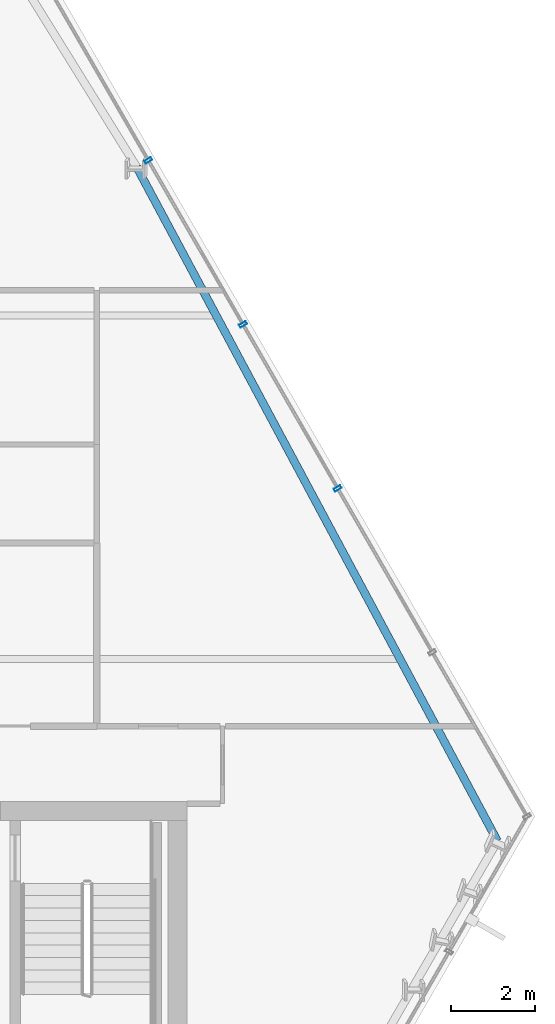
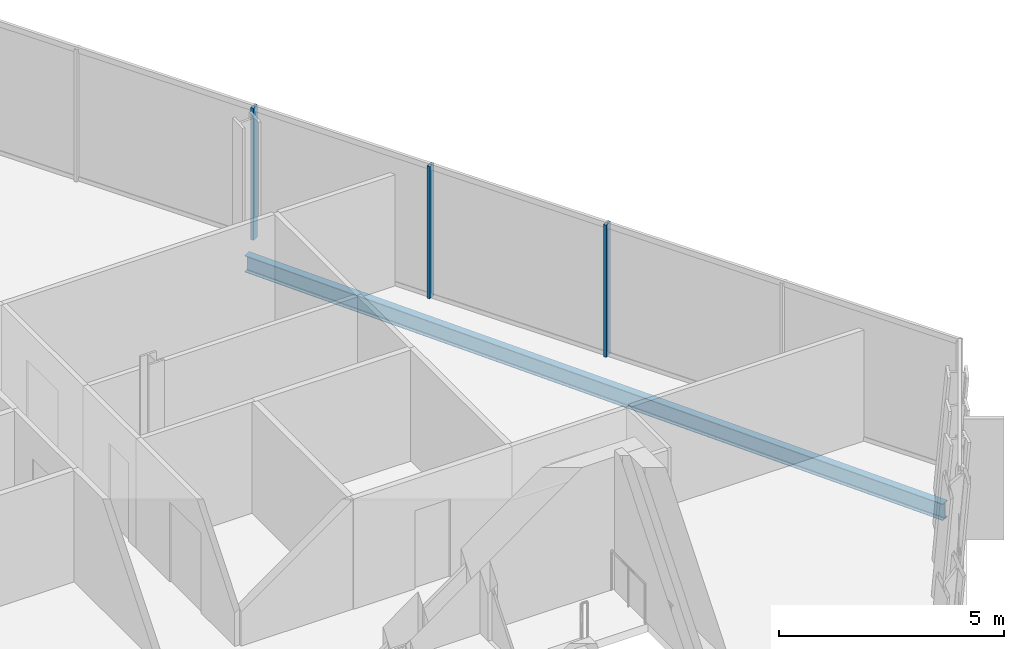
# One storey, part 18 of 32: 3 members, 1 beam, 1 element without a shape of its own.
"""IFC4 building model written with IfcOpenShell, lengths in metres."""

from ifc_helpers import new_model, si_unit, direction, frame, origin, origin_2d, place, context, subcontext, project, spatial, hollow_rectangle, i_section, extrude, material, layer, layer_set, material_profile, profile_set, type_object, element, aggregate, save


model = new_model("IFC4")

# Units and contexts
model_context = context("Model", 3, precision=1e-05, world=origin(), true_north=direction((0.0, 1.0)))
body_context = subcontext(model_context, "Body", "Model", "MODEL_VIEW")
ifc_project = project(units=[si_unit("LENGTHUNIT", "METRE"), si_unit("AREAUNIT", "SQUARE_METRE"), si_unit("VOLUMEUNIT", "CUBIC_METRE"), si_unit("PLANEANGLEUNIT", "RADIAN"), si_unit("MASSUNIT", "GRAM", prefix="KILO")], contexts=[model_context])

# Site, building, storey
site_placement = place(None, origin())
site = spatial("IfcSite", under=ifc_project, at=site_placement, CompositionType="ELEMENT")
building_placement = place(site_placement, origin())
building = spatial("IfcBuilding", under=site, at=building_placement, Name="Ndaravel Arena Tower", CompositionType="ELEMENT")
storey_placement = place(building_placement, frame((0.0, 0.0, 157.39990234375)))
storey = spatial("IfcBuildingStorey", under=building, at=storey_placement, Name="L37", CompositionType="ELEMENT", Elevation=157.39990234375)

# Beam
ifc_material_1 = material(Name="Steel S355", Category="steel")
ifc_material_profile_1 = material_profile(ifc_material_1, i_section(OverallWidth=0.18994140625, OverallDepth=0.449951171875, WebThickness=0.009521484375, FlangeThickness=0.0146484375, FilletRadius=0.02099609375, at=origin_2d()), Name="IPE 450")
ifc_profile_set_1 = profile_set([ifc_material_profile_1], Name="Steel S355")
beam_type = type_object("IfcBeamType", Name="BM-SPAN-IPE450", PredefinedType="SPANDREL", material=ifc_profile_set_1)
beam_placement = place(storey_placement, frame((64.960205078125, 14.260009765625, -0.44482421875), z_axis=(-0.47193833107, 0.881631562313, 0.0), x_axis=(-0.881631562313, -0.47193833107, 0.0)))
element("IfcBeam", 1, at=beam_placement, inside=storey, type_object=beam_type, Name="L37 Perimeter Spandrel Beam SP-09", PredefinedType="SPANDREL", context=body_context, shape_type="SweptSolid", body=[
    extrude(i_section(OverallWidth=0.18994140625, OverallDepth=0.449951171875, WebThickness=0.009521484375, FlangeThickness=0.0146484375, FilletRadius=0.02099609375, at=origin_2d()), origin(), (0.0, 0.0, 1.0), 18.238525390625),
])

# Curtain wall, members
ifc_material_2 = material(Name="Aluminium", Category="aluminium")
ifc_layer = layer(ifc_material_2, 0.179931640625)
ifc_layer_set = layer_set([ifc_layer], Name="Aluminium")
curtain_wall_type = type_object("IfcCurtainWallType", Name="CW-SYS-03", PredefinedType="NOTDEFINED", material=ifc_layer_set)
curtain_wall_placement = place(storey_placement, origin())
curtain_wall = element("IfcCurtainWall", 2, at=curtain_wall_placement, inside=storey, type_object=curtain_wall_type, Name="L37 Faceted Crystal Curtain Wall CW-L37-E03", PredefinedType="NOTDEFINED")
ifc_material_3 = material(Name="Aluminium", Category="aluminium")
ifc_material_profile_2 = material_profile(ifc_material_3, hollow_rectangle(XDim=0.074951171875, YDim=0.179931640625, WallThickness=0.00390625, at=origin_2d()), Name="CW MULLION 75x180x4")
ifc_profile_set_2 = profile_set([ifc_material_profile_2], Name="Aluminium")
member_type = type_object("IfcMemberType", Name="MEM-CW-MUL180", PredefinedType="MULLION", material=ifc_profile_set_2)
member_1_placement = place(storey_placement, frame((61.148681640625, 22.672607421875, 0.0), z_axis=(0.0, 0.0, 1.0), x_axis=(-0.5, 0.866025403784, 0.0)))
member_1 = element("IfcMember", 3, at=member_1_placement, type_object=member_type, Name="CW-L37-E03 Mullion 02", PredefinedType="MULLION", context=body_context, shape_type="SweptSolid", body=[
    extrude(hollow_rectangle(XDim=0.074951171875, YDim=0.179931640625, WallThickness=0.00390625, at=origin_2d()), origin(), (0.0, 0.0, 1.0), 3.580078125),
])
member_2_placement = place(storey_placement, frame((58.889404296875, 26.5859375, 0.0), z_axis=(0.0, 0.0, 1.0), x_axis=(-0.5, 0.866025403784, 0.0)))
member_2 = element("IfcMember", 4, at=member_2_placement, type_object=member_type, Name="CW-L37-E03 Mullion 03", PredefinedType="MULLION", context=body_context, shape_type="SweptSolid", body=[
    extrude(hollow_rectangle(XDim=0.074951171875, YDim=0.179931640625, WallThickness=0.00390625, at=origin_2d()), origin(), (0.0, 0.0, 1.0), 3.580078125),
])
member_3_placement = place(storey_placement, frame((56.6298828125, 30.49951171875, 0.0), z_axis=(0.0, 0.0, 1.0), x_axis=(-0.5, 0.866025403784, 0.0)))
member_3 = element("IfcMember", 5, at=member_3_placement, type_object=member_type, Name="CW-L37-E03 Mullion 04", PredefinedType="MULLION", context=body_context, shape_type="SweptSolid", body=[
    extrude(hollow_rectangle(XDim=0.074951171875, YDim=0.179931640625, WallThickness=0.00390625, at=origin_2d()), origin(), (0.0, 0.0, 1.0), 3.580078125),
])
aggregate(curtain_wall, [member_1, member_2, member_3])

save(model, "model.ifc")
